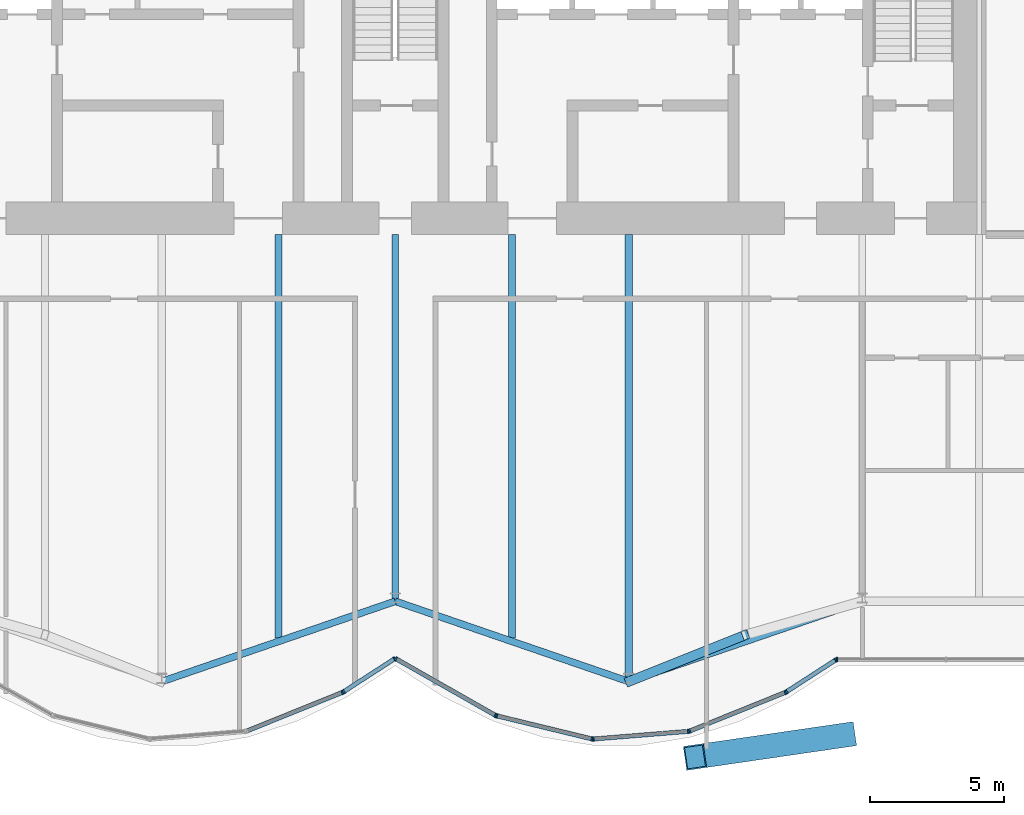
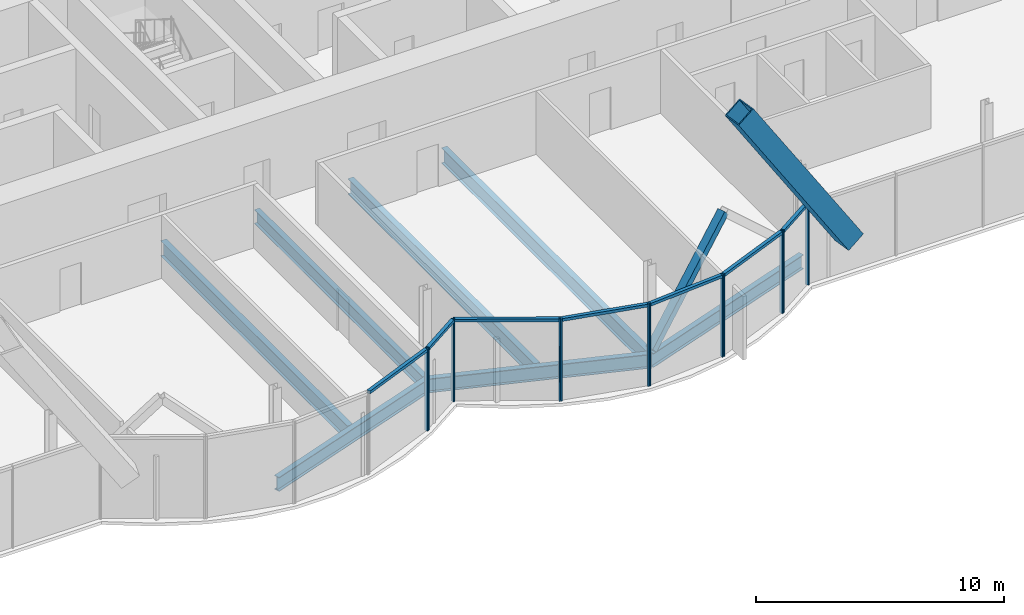
# One storey, part 10 of 23: 23 members, 7 beams, 3 elements without a shape of their own.
"""IFC4 building model written with IfcOpenShell, lengths in metres."""

from ifc_helpers import new_model, si_unit, direction, frame, origin, origin_2d, place, context, subcontext, project, spatial, rectangle, hollow_rectangle, i_section, extrude, material, material_profile, profile_set, type_object, element, aggregate, save


model = new_model("IFC4")

# Units and contexts
model_context = context("Model", 3, precision=1e-05, world=origin(), true_north=direction((0.0, 1.0)))
body_context = subcontext(model_context, "Body", "Model", "MODEL_VIEW")
ifc_project = project(units=[si_unit("LENGTHUNIT", "METRE"), si_unit("AREAUNIT", "SQUARE_METRE"), si_unit("VOLUMEUNIT", "CUBIC_METRE"), si_unit("PLANEANGLEUNIT", "RADIAN"), si_unit("MASSUNIT", "GRAM", prefix="KILO")], contexts=[model_context])

# Site, building, storey
site_placement = place(None, origin())
site = spatial("IfcSite", under=ifc_project, at=site_placement, CompositionType="ELEMENT")
building_placement = place(site_placement, origin())
building = spatial("IfcBuilding", under=site, at=building_placement, Name="Bicima Exchange Tower", CompositionType="ELEMENT")
storey_placement = place(building_placement, frame((0.0, 0.0, 262.39990234375)))
storey = spatial("IfcBuildingStorey", under=building, at=storey_placement, Name="L59", CompositionType="ELEMENT", Elevation=262.39990234375)

# Member
ifc_material_1 = material(Name="Steel ASTM A572 Gr 50", Category="steel")
ifc_material_profile_1 = material_profile(ifc_material_1, hollow_rectangle(XDim=0.89990234375, YDim=0.89990234375, WallThickness=0.050048828125, at=origin_2d()))
ifc_profile_set_1 = profile_set([ifc_material_profile_1], Name="Steel ASTM A572 Gr 50")
member_type_1 = type_object("IfcMemberType", Name="Exo mega brace BOX 900x900x50", PredefinedType="BRACE", material=ifc_profile_set_1)
member_1_placement = place(storey_placement, frame((16.75, -31.65380859375, 3.900146484375), z_axis=(-0.542828439366, -0.079042315059, 0.836115780168), x_axis=(0.144092392099, -0.989564238713, 0.0)))
element("IfcMember", 1, at=member_1_placement, inside=storey, type_object=member_type_1, Name="Exo mega brace front", PredefinedType="BRACE", context=body_context, shape_type="SweptSolid", body=[
    extrude(hollow_rectangle(XDim=0.89990234375, YDim=0.89990234375, WallThickness=0.050048828125, at=origin_2d()), origin(), (0.0, 0.0, 1.0), 10.285400390625),
])

# Beams
ifc_material_2 = material(Name="Steel ASTM A992 Gr 50", Category="steel")
ifc_material_profile_2 = material_profile(ifc_material_2, i_section(OverallWidth=0.25390625, OverallDepth=0.67822265625, WebThickness=0.01171875, FlangeThickness=0.016357421875, at=origin_2d()))
ifc_profile_set_2 = profile_set([ifc_material_profile_2], Name="Steel ASTM A992 Gr 50")
beam_type_1 = type_object("IfcBeamType", Name="Floor beam W27x84", PredefinedType="JOIST", material=ifc_profile_set_2)
beam_1_placement = place(storey_placement, frame((0.0, -13.0, -0.489013671875), z_axis=(0.0, -1.0, 0.0), x_axis=(1.0, 0.0, 0.0)))
element("IfcBeam", 2, at=beam_1_placement, inside=storey, type_object=beam_type_1, Name="Floor beam", PredefinedType="JOIST", context=body_context, shape_type="SweptSolid", body=[
    extrude(i_section(OverallWidth=0.25390625, OverallDepth=0.67822265625, WebThickness=0.01171875, FlangeThickness=0.016357421875, at=origin_2d()), origin(), (0.0, 0.0, 1.0), 13.66796875),
])
ifc_material_profile_3 = material_profile(ifc_material_2, i_section(OverallWidth=0.2666015625, OverallDepth=0.75439453125, WebThickness=0.01318359375, FlangeThickness=0.01708984375, at=origin_2d()))
ifc_profile_set_3 = profile_set([ifc_material_profile_3], Name="Steel ASTM A992 Gr 50")
beam_type_2 = type_object("IfcBeamType", Name="Floor beam W30x99", PredefinedType="JOIST", material=ifc_profile_set_3)
for number, where, z_axis, x_axis, name in (
    (3, (-4.35009765625, -13.0, -0.527099609375), (0.0, -1.0, 0.0), (1.0, 0.0, 0.0), "Floor beam"),
    (4, (4.35009765625, -13.0, -0.527099609375), (0.0, -1.0, 0.0), (1.0, 0.0, 0.0), "Floor beam"),
):
    element("IfcBeam", number, at=place(storey_placement, frame(where, z_axis=z_axis, x_axis=x_axis)), inside=storey, type_object=beam_type_2, Name=name, PredefinedType="JOIST", context=body_context, shape_type="SweptSolid", body=[
        extrude(i_section(OverallWidth=0.2666015625, OverallDepth=0.75439453125, WebThickness=0.01318359375, FlangeThickness=0.01708984375, at=origin_2d()), origin(), (0.0, 0.0, 1.0), 15.02783203125),
    ])
beam_2_placement = place(storey_placement, frame((8.699951171875, -13.0, -0.527099609375), z_axis=(0.0, -1.0, 0.0), x_axis=(1.0, 0.0, 0.0)))
element("IfcBeam", 5, at=beam_2_placement, inside=storey, type_object=beam_type_2, Name="Floor beam", PredefinedType="JOIST", context=body_context, shape_type="SweptSolid", body=[
    extrude(i_section(OverallWidth=0.2666015625, OverallDepth=0.75439453125, WebThickness=0.01318359375, FlangeThickness=0.01708984375, at=origin_2d()), origin(), (0.0, 0.0, 1.0), 16.5234375),
])
ifc_material_profile_4 = material_profile(ifc_material_2, i_section(OverallWidth=0.256591796875, OverallDepth=0.693359375, WebThickness=0.014404296875, FlangeThickness=0.023681640625, at=origin_2d()))
ifc_profile_set_4 = profile_set([ifc_material_profile_4], Name="Steel ASTM A992 Gr 50")
beam_type_3 = type_object("IfcBeamType", Name="Front girder W27x114", PredefinedType="BEAM", material=ifc_profile_set_4)
for number, where, z_axis, x_axis, name in (
    (6, (-8.699951171875, -29.6591796875, -0.49658203125), (0.945666456746, 0.325138359143, 0.0), (-0.325138359143, 0.945666456746, 0.0), "Front girder"),
    (7, (0.0, -26.66796875, -0.49658203125), (0.945666456746, -0.325138359143, 0.0), (0.325138359143, 0.945666456746, 0.0), "Front girder"),
    (8, (8.699951171875, -29.6591796875, -0.49658203125), (0.945666456746, 0.325138359143, 0.0), (-0.325138359143, 0.945666456746, 0.0), "Front girder"),
):
    element("IfcBeam", number, at=place(storey_placement, frame(where, z_axis=z_axis, x_axis=x_axis)), inside=storey, type_object=beam_type_3, Name=name, PredefinedType="BEAM", context=body_context, shape_type="SweptSolid", body=[
        extrude(i_section(OverallWidth=0.256591796875, OverallDepth=0.693359375, WebThickness=0.014404296875, FlangeThickness=0.023681640625, at=origin_2d()), origin(), (0.0, 0.0, 1.0), 9.19970703125),
    ])

# Curtain wall, members
ifc_material_3 = material(Name="Anodised bronze aluminium", Category="aluminium")
curtain_wall_type = type_object("IfcCurtainWallType", Name="Front glass wall", PredefinedType="NOTDEFINED", material=ifc_material_3)
curtain_wall_1_placement = place(storey_placement, origin())
curtain_wall_1 = element("IfcCurtainWall", 9, at=curtain_wall_1_placement, inside=storey, type_object=curtain_wall_type, Name="Front glass wall L59 run 6", PredefinedType="NOTDEFINED")
ifc_material_profile_5 = material_profile(ifc_material_3, rectangle(XDim=0.159912109375, YDim=0.06005859375, at=origin_2d()))
ifc_profile_set_5 = profile_set([ifc_material_profile_5], Name="Anodised bronze aluminium")
member_type_2 = type_object("IfcMemberType", Name="Front glass wall mullion 60 x 160", PredefinedType="MULLION", material=ifc_profile_set_5)
member_2_placement = place(storey_placement, frame((-1.97412109375, -30.063720703125, 0.0), z_axis=(0.0, 0.0, 1.0), x_axis=(-0.374705304, 0.92714396679, 0.0)))
member_2 = element("IfcMember", 10, at=member_2_placement, type_object=member_type_2, Name="Front glass wall mullion 2", PredefinedType="MULLION", context=body_context, shape_type="SweptSolid", body=[
    extrude(rectangle(XDim=0.159912109375, YDim=0.06005859375, at=origin_2d()), origin(), (0.0, 0.0, 1.0), 4.050048828125),
])
member_3_placement = place(storey_placement, frame((-1.921142578125, -30.0361328125, 0.0), z_axis=(0.0, 0.0, 1.0), x_axis=(-0.542897457326, 0.839798994301, 0.0)))
member_3 = element("IfcMember", 11, at=member_3_placement, type_object=member_type_2, Name="Front glass wall mullion 1", PredefinedType="MULLION", context=body_context, shape_type="SweptSolid", body=[
    extrude(rectangle(XDim=0.159912109375, YDim=0.06005859375, at=origin_2d()), origin(), (0.0, 0.0, 1.0), 4.050048828125),
])
member_4_placement = place(storey_placement, frame((-0.025146484375, -28.810302734375, 0.0), z_axis=(0.0, 0.0, 1.0), x_axis=(-0.542897457326, 0.839798994301, 0.0)))
member_4 = element("IfcMember", 12, at=member_4_placement, type_object=member_type_2, Name="Front glass wall mullion 2", PredefinedType="MULLION", context=body_context, shape_type="SweptSolid", body=[
    extrude(rectangle(XDim=0.159912109375, YDim=0.06005859375, at=origin_2d()), origin(), (0.0, 0.0, 1.0), 4.050048828125),
])

curtain_wall_2_placement = place(storey_placement, origin())
curtain_wall_2 = element("IfcCurtainWall", 13, at=curtain_wall_2_placement, inside=storey, type_object=curtain_wall_type, Name="Front glass wall L59 run 11", PredefinedType="NOTDEFINED")
member_5_placement = place(storey_placement, frame((0.026123046875, -28.80908203125, 0.0), z_axis=(0.0, 0.0, 1.0), x_axis=(0.494330311331, 0.869274147378, 0.0)))
member_5 = element("IfcMember", 14, at=member_5_placement, type_object=member_type_2, Name="Front glass wall mullion 1", PredefinedType="MULLION", context=body_context, shape_type="SweptSolid", body=[
    extrude(rectangle(XDim=0.159912109375, YDim=0.06005859375, at=origin_2d()), origin(), (0.0, 0.0, 1.0), 4.050048828125),
])
member_6_placement = place(storey_placement, frame((3.7265625, -30.913330078125, 0.0), z_axis=(0.0, 0.0, 1.0), x_axis=(0.494330311331, 0.869274147378, 0.0)))
member_6 = element("IfcMember", 15, at=member_6_placement, type_object=member_type_2, Name="Front glass wall mullion 2", PredefinedType="MULLION", context=body_context, shape_type="SweptSolid", body=[
    extrude(rectangle(XDim=0.159912109375, YDim=0.06005859375, at=origin_2d()), origin(), (0.0, 0.0, 1.0), 4.050048828125),
])
member_7_placement = place(storey_placement, frame((3.781982421875, -30.935302734375, 0.0), z_axis=(0.0, 0.0, 1.0), x_axis=(0.235681529503, 0.971830343553, 0.0)))
member_7 = element("IfcMember", 16, at=member_7_placement, type_object=member_type_2, Name="Front glass wall mullion 1", PredefinedType="MULLION", context=body_context, shape_type="SweptSolid", body=[
    extrude(rectangle(XDim=0.159912109375, YDim=0.06005859375, at=origin_2d()), origin(), (0.0, 0.0, 1.0), 4.050048828125),
])
member_8_placement = place(storey_placement, frame((7.322509765625, -31.7939453125, 0.0), z_axis=(0.0, 0.0, 1.0), x_axis=(0.235681529503, 0.971830343553, 0.0)))
member_8 = element("IfcMember", 17, at=member_8_placement, type_object=member_type_2, Name="Front glass wall mullion 2", PredefinedType="MULLION", context=body_context, shape_type="SweptSolid", body=[
    extrude(rectangle(XDim=0.159912109375, YDim=0.06005859375, at=origin_2d()), origin(), (0.0, 0.0, 1.0), 4.050048828125),
])
member_9_placement = place(storey_placement, frame((7.381591796875, -31.798583984375, 0.0), z_axis=(0.0, 0.0, 1.0), x_axis=(-0.080588612633, 0.99674744821, 0.0)))
member_9 = element("IfcMember", 18, at=member_9_placement, type_object=member_type_2, Name="Front glass wall mullion 1", PredefinedType="MULLION", context=body_context, shape_type="SweptSolid", body=[
    extrude(rectangle(XDim=0.159912109375, YDim=0.06005859375, at=origin_2d()), origin(), (0.0, 0.0, 1.0), 4.050048828125),
])
member_10_placement = place(storey_placement, frame((10.916015625, -31.5126953125, 0.0), z_axis=(0.0, 0.0, 1.0), x_axis=(-0.080588612633, 0.99674744821, 0.0)))
member_10 = element("IfcMember", 19, at=member_10_placement, type_object=member_type_2, Name="Front glass wall mullion 2", PredefinedType="MULLION", context=body_context, shape_type="SweptSolid", body=[
    extrude(rectangle(XDim=0.159912109375, YDim=0.06005859375, at=origin_2d()), origin(), (0.0, 0.0, 1.0), 4.050048828125),
])
member_11_placement = place(storey_placement, frame((10.973876953125, -31.499267578125, 0.0), z_axis=(0.0, 0.0, 1.0), x_axis=(-0.374705304, 0.92714396679, 0.0)))
member_11 = element("IfcMember", 20, at=member_11_placement, type_object=member_type_2, Name="Front glass wall mullion 1", PredefinedType="MULLION", context=body_context, shape_type="SweptSolid", body=[
    extrude(rectangle(XDim=0.159912109375, YDim=0.06005859375, at=origin_2d()), origin(), (0.0, 0.0, 1.0), 4.050048828125),
])
member_12_placement = place(storey_placement, frame((14.52587890625, -30.063720703125, 0.0), z_axis=(0.0, 0.0, 1.0), x_axis=(-0.374705304, 0.92714396679, 0.0)))
member_12 = element("IfcMember", 21, at=member_12_placement, type_object=member_type_2, Name="Front glass wall mullion 2", PredefinedType="MULLION", context=body_context, shape_type="SweptSolid", body=[
    extrude(rectangle(XDim=0.159912109375, YDim=0.06005859375, at=origin_2d()), origin(), (0.0, 0.0, 1.0), 4.050048828125),
])
member_13_placement = place(storey_placement, frame((14.578857421875, -30.0361328125, 0.0), z_axis=(0.0, 0.0, 1.0), x_axis=(-0.542909183079, 0.839791413941, 0.0)))
member_13 = element("IfcMember", 22, at=member_13_placement, type_object=member_type_2, Name="Front glass wall mullion 1", PredefinedType="MULLION", context=body_context, shape_type="SweptSolid", body=[
    extrude(rectangle(XDim=0.159912109375, YDim=0.06005859375, at=origin_2d()), origin(), (0.0, 0.0, 1.0), 4.050048828125),
])
member_14_placement = place(storey_placement, frame((16.406982421875, -28.854248046875, 0.0), z_axis=(0.0, 0.0, 1.0), x_axis=(-0.542909183079, 0.839791413941, 0.0)))
member_14 = element("IfcMember", 23, at=member_14_placement, type_object=member_type_2, Name="Front glass wall mullion 2", PredefinedType="MULLION", context=body_context, shape_type="SweptSolid", body=[
    extrude(rectangle(XDim=0.159912109375, YDim=0.06005859375, at=origin_2d()), origin(), (0.0, 0.0, 1.0), 4.050048828125),
])

# Curtain wall, member
curtain_wall_3_placement = place(storey_placement, origin())
curtain_wall_3 = element("IfcCurtainWall", 24, at=curtain_wall_3_placement, inside=storey, type_object=curtain_wall_type, Name="Front glass wall L59 run 16", PredefinedType="NOTDEFINED")
member_15_placement = place(storey_placement, frame((16.462158203125, -28.837890625, 0.0), z_axis=(0.0, 0.0, 1.0), x_axis=(0.0, 1.0, 0.0)))
member_15 = element("IfcMember", 25, at=member_15_placement, type_object=member_type_2, Name="Front glass wall mullion 1", PredefinedType="MULLION", context=body_context, shape_type="SweptSolid", body=[
    extrude(rectangle(XDim=0.159912109375, YDim=0.06005859375, at=origin_2d()), origin(), (0.0, 0.0, 1.0), 4.050048828125),
])
aggregate(curtain_wall_3, [member_15])

# Member
ifc_material_profile_6 = material_profile(ifc_material_3, rectangle(XDim=0.159912109375, YDim=0.139892578125, at=origin_2d()))
ifc_profile_set_6 = profile_set([ifc_material_profile_6], Name="Anodised bronze aluminium")
member_type_3 = type_object("IfcMemberType", Name="Front glass wall transom 140 x 160", PredefinedType="USERDEFINED", material=ifc_profile_set_6)
member_16_placement = place(storey_placement, frame((-5.498291015625, -31.48779296875, 3.97998046875), z_axis=(0.927140215882, 0.374714584842, 0.0), x_axis=(-0.374714584842, 0.927140215882, 0.0)))
member_16 = element("IfcMember", 26, at=member_16_placement, type_object=member_type_3, Name="Front glass wall transom 1.1", ObjectType="TRANSOM", PredefinedType="USERDEFINED", context=body_context, shape_type="SweptSolid", body=[
    extrude(rectangle(XDim=0.159912109375, YDim=0.139892578125, at=origin_2d()), origin(), (0.0, 0.0, 1.0), 3.77099609375),
])

member_17_placement = place(storey_placement, frame((-1.89599609375, -30.019775390625, 3.97998046875), z_axis=(0.839811483481, 0.542878137536, 0.0), x_axis=(-0.542878137536, 0.839811483481, 0.0)))
member_17 = element("IfcMember", 27, at=member_17_placement, type_object=member_type_3, Name="Front glass wall transom 1.1", ObjectType="TRANSOM", PredefinedType="USERDEFINED", context=body_context, shape_type="SweptSolid", body=[
    extrude(rectangle(XDim=0.159912109375, YDim=0.139892578125, at=origin_2d()), origin(), (0.0, 0.0, 1.0), 2.19775390625),
])

aggregate(curtain_wall_1, [member_2, member_16, member_3, member_4, member_17])

member_18_placement = place(storey_placement, frame((0.05224609375, -28.82373046875, 3.97998046875), z_axis=(0.869265121745, -0.494346182466, 0.0), x_axis=(0.494346182466, 0.869265121745, 0.0)))
member_18 = element("IfcMember", 28, at=member_18_placement, type_object=member_type_3, Name="Front glass wall transom 1.1", ObjectType="TRANSOM", PredefinedType="USERDEFINED", context=body_context, shape_type="SweptSolid", body=[
    extrude(rectangle(XDim=0.159912109375, YDim=0.139892578125, at=origin_2d()), origin(), (0.0, 0.0, 1.0), 4.19677734375),
])

member_19_placement = place(storey_placement, frame((3.81103515625, -30.9423828125, 3.97998046875), z_axis=(0.971833557815, -0.235668275132, 0.0), x_axis=(0.235668275132, 0.971833557815, 0.0)))
member_19 = element("IfcMember", 29, at=member_19_placement, type_object=member_type_3, Name="Front glass wall transom 1.1", ObjectType="TRANSOM", PredefinedType="USERDEFINED", context=body_context, shape_type="SweptSolid", body=[
    extrude(rectangle(XDim=0.159912109375, YDim=0.139892578125, at=origin_2d()), origin(), (0.0, 0.0, 1.0), 3.583251953125),
])

member_20_placement = place(storey_placement, frame((7.41162109375, -31.796142578125, 3.97998046875), z_axis=(0.9967456465, 0.080610893699, 0.0), x_axis=(-0.080610893699, 0.9967456465, 0.0)))
member_20 = element("IfcMember", 30, at=member_20_placement, type_object=member_type_3, Name="Front glass wall transom 1.1", ObjectType="TRANSOM", PredefinedType="USERDEFINED", context=body_context, shape_type="SweptSolid", body=[
    extrude(rectangle(XDim=0.159912109375, YDim=0.139892578125, at=origin_2d()), origin(), (0.0, 0.0, 1.0), 3.48583984375),
])

member_21_placement = place(storey_placement, frame((11.001708984375, -31.48779296875, 3.97998046875), z_axis=(0.927140215882, 0.374714584842, 0.0), x_axis=(-0.374714584842, 0.927140215882, 0.0)))
member_21 = element("IfcMember", 31, at=member_21_placement, type_object=member_type_3, Name="Front glass wall transom 1.1", ObjectType="TRANSOM", PredefinedType="USERDEFINED", context=body_context, shape_type="SweptSolid", body=[
    extrude(rectangle(XDim=0.159912109375, YDim=0.139892578125, at=origin_2d()), origin(), (0.0, 0.0, 1.0), 3.77099609375),
])

member_22_placement = place(storey_placement, frame((14.60400390625, -30.019775390625, 3.97998046875), z_axis=(0.839792890287, 0.542906899407, 0.0), x_axis=(-0.542906899407, 0.839792890287, 0.0)))
member_22 = element("IfcMember", 32, at=member_22_placement, type_object=member_type_3, Name="Front glass wall transom 1.1", ObjectType="TRANSOM", PredefinedType="USERDEFINED", context=body_context, shape_type="SweptSolid", body=[
    extrude(rectangle(XDim=0.159912109375, YDim=0.139892578125, at=origin_2d()), origin(), (0.0, 0.0, 1.0), 2.11669921875),
])

aggregate(curtain_wall_2, [member_5, member_6, member_18, member_7, member_8, member_19, member_9, member_10, member_20, member_11, member_12, member_21, member_13, member_14, member_22])

ifc_material_profile_7 = material_profile(ifc_material_1, hollow_rectangle(XDim=0.355712890625, YDim=0.355712890625, WallThickness=0.0146484375, at=origin_2d()))
ifc_profile_set_7 = profile_set([ifc_material_profile_7], Name="Steel ASTM A572 Gr 50")
member_type_4 = type_object("IfcMemberType", Name="Mega brace HSS14x14x5/8", PredefinedType="BRACE", material=ifc_profile_set_7)
member_23_placement = place(storey_placement, frame((8.699951171875, -29.6591796875, 0.0), z_axis=(0.691348292549, 0.276492756353, 0.667524751656), x_axis=(-0.3713367687, 0.928498252132, 0.0)))
element("IfcMember", 33, at=member_23_placement, inside=storey, type_object=member_type_4, Name="Mega brace front", PredefinedType="BRACE", context=body_context, shape_type="SweptSolid", body=[
    extrude(hollow_rectangle(XDim=0.355712890625, YDim=0.355712890625, WallThickness=0.0146484375, at=origin_2d()), origin(), (0.0, 0.0, 1.0), 6.292236328125),
])

save(model, "model.ifc")
